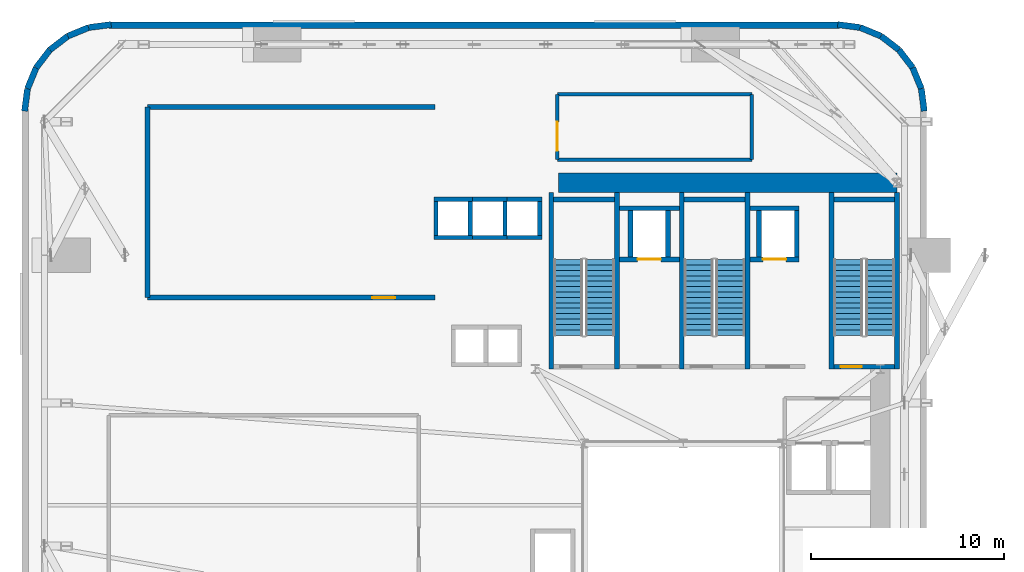
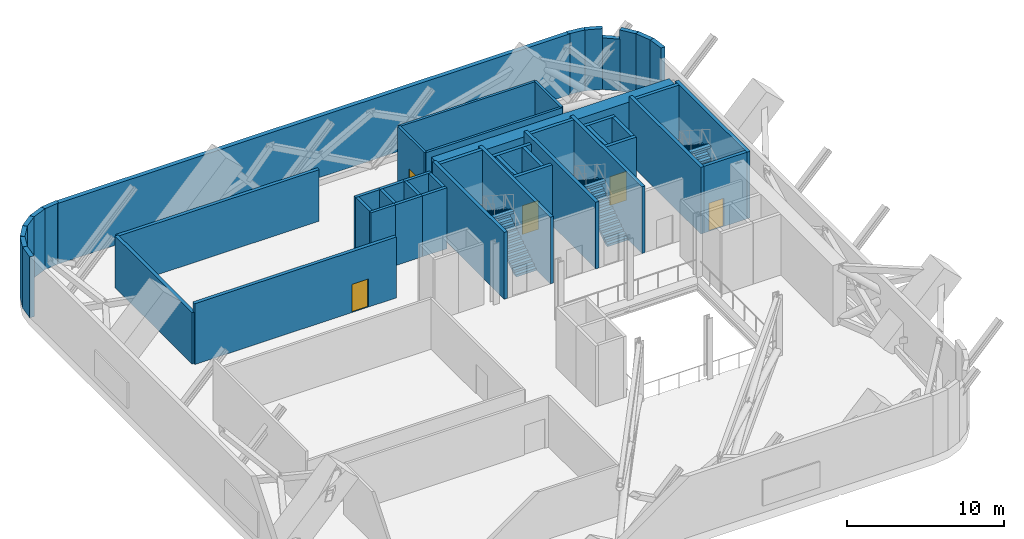
# One storey, part 9 of 12: 49 walls, 6 stair flights, 5 doors, 5 openings, 3 elements without a shape of their own.
"""IFC4 building model written with IfcOpenShell, lengths in metres."""

import ifcopenshell
import ifcopenshell.guid

model = None  # the IFC model being written
_history = None  # IfcOwnerHistory: only IFC2X3 demands one
_inside = {}  # id of a spatial element -> (the spatial element, [elements in it])
_under = {}  # id of a project, library or spatial element -> (it, [spatial elements below it])
_declared = {}  # id of a project -> (the project, [libraries it declares])
_typed = {}  # id of a type object -> (the type object, [elements of that type])
_made_of = {}  # id of a material, layer set ... -> (it, [elements and type objects made of it])


def new_model(schema):
    """Start an empty IFC model of exactly this schema.

    Asked for "IFC4X3", IfcOpenShell would pick the latest addendum, in which some entities
    have other attributes; the version numbers below select the first issue.
    IFC2X3 requires an IfcOwnerHistory on every rooted entity: one is made here for all.
    """
    global model, _history
    if schema == "IFC4X3":
        model = ifcopenshell.file(schema_version=(4, 3, 0, 0))
    else:
        model = ifcopenshell.file(schema=schema)
    _inside.clear()
    _under.clear()
    _declared.clear()
    _typed.clear()
    _made_of.clear()
    _history = None
    if model.schema == "IFC2X3":
        org = make("IfcOrganization", Name="unknown")
        user = make(
            "IfcPersonAndOrganization",
            ThePerson=make("IfcPerson", FamilyName="unknown"),
            TheOrganization=org,
        )
        app = make(
            "IfcApplication",
            ApplicationDeveloper=org,
            Version="unknown",
            ApplicationFullName="unknown",
            ApplicationIdentifier="unknown",
        )
        _history = make(
            "IfcOwnerHistory",
            OwningUser=user,
            OwningApplication=app,
            ChangeAction="ADDED",
            CreationDate=0,
        )
    return model


def make(cls, **values):
    """One entity of the class cls with the attributes given. An attribute that is None is left unset."""
    return model.create_entity(
        cls, **{name: value for name, value in values.items() if value is not None}
    )


def rooted(cls, **values):
    """An entity with a GlobalId (a new one), such as an element, a storey or a relation."""
    return make(cls, GlobalId=ifcopenshell.guid.new(), OwnerHistory=_history, **values)


def si_unit(unit_type, name, prefix=None):
    """IfcSIUnit, for example si_unit("LENGTHUNIT", "METRE", prefix="MILLI")."""
    return make("IfcSIUnit", UnitType=unit_type, Prefix=prefix, Name=name)


def assignment(units):
    """IfcUnitAssignment: the units of a project."""
    return None if units is None else make("IfcUnitAssignment", Units=units)


def point(xyz):
    """IfcCartesianPoint."""
    return None if xyz is None else make("IfcCartesianPoint", Coordinates=xyz)


def direction(xyz):
    """IfcDirection."""
    return None if xyz is None else make("IfcDirection", DirectionRatios=xyz)


def frame(location, z_axis=None, x_axis=None):
    """IfcAxis2Placement3D, a coordinate frame: its origin and axes. An axis left out is left unset."""
    return make(
        "IfcAxis2Placement3D",
        Location=point(location),
        Axis=direction(z_axis),
        RefDirection=direction(x_axis),
    )


def frame_2d(location, x_axis=None):
    """IfcAxis2Placement2D, a coordinate frame in the plane: its origin and x axis."""
    return make(
        "IfcAxis2Placement2D", Location=point(location), RefDirection=direction(x_axis)
    )


def origin():
    """The frame at (0, 0, 0) with its axes left unset."""
    return frame((0.0, 0.0, 0.0))


def place(relative_to, where):
    """IfcLocalPlacement: puts the frame where relative to a parent placement (None: the world)."""
    return make(
        "IfcLocalPlacement", PlacementRelTo=relative_to, RelativePlacement=where
    )


def context(
    kind, dimensions, precision=None, world=None, true_north=None, identifier=None
):
    """IfcGeometricRepresentationContext, for example the 3D "Model" context."""
    return make(
        "IfcGeometricRepresentationContext",
        ContextIdentifier=identifier,
        ContextType=kind,
        CoordinateSpaceDimension=dimensions,
        Precision=precision,
        WorldCoordinateSystem=world,
        TrueNorth=true_north,
    )


def subcontext(parent, identifier, kind, view, scale=None):
    """IfcGeometricRepresentationSubContext, for example "Body" below "Model"."""
    return make(
        "IfcGeometricRepresentationSubContext",
        ContextIdentifier=identifier,
        ContextType=kind,
        ParentContext=parent,
        TargetScale=scale,
        TargetView=view,
    )


def project(units=None, contexts=None):
    """IfcProject with its units and contexts."""
    return rooted(
        "IfcProject",
        Name="project",
        RepresentationContexts=contexts,
        UnitsInContext=assignment(units),
    )


def spatial(cls, under=None, at=None, **own):
    """A site, building, storey or space (cls), placed at a placement, below another one or the project."""
    s = rooted(cls, ObjectPlacement=at, **own)
    if under is not None:
        _under.setdefault(under.id(), (under, []))[1].append(s)
    return s


def polyline(points):
    """IfcPolyline through the points."""
    return make("IfcPolyline", Points=[point(p) for p in points])


def profile(cls, at=None, kind="AREA", **sizes):
    """A parametric profile (cls). Its sizes go by their IFC names, for example OverallWidth=200.0."""
    return make(cls, ProfileType=kind, Position=at, **sizes)


def rectangle(**sizes):
    """IfcRectangleProfileDef."""
    return profile("IfcRectangleProfileDef", **sizes)


def outline(outer, holes=None, kind="AREA"):
    """IfcArbitraryClosedProfileDef: a profile drawn as a closed curve; with holes, ...WithVoids."""
    if holes is None:
        return make("IfcArbitraryClosedProfileDef", ProfileType=kind, OuterCurve=outer)
    return make(
        "IfcArbitraryProfileDefWithVoids",
        ProfileType=kind,
        OuterCurve=outer,
        InnerCurves=holes,
    )


def extrude(swept, where, along, depth):
    """IfcExtrudedAreaSolid: the profile swept, set in the frame where, extruded along a direction by depth."""
    return make(
        "IfcExtrudedAreaSolid",
        SweptArea=swept,
        Position=where,
        ExtrudedDirection=direction(along),
        Depth=depth,
    )


def shape(context_of_items, identifier, shape_type, items):
    """IfcShapeRepresentation: the items that make up one representation, for example the "Body"."""
    return make(
        "IfcShapeRepresentation",
        ContextOfItems=context_of_items,
        RepresentationIdentifier=identifier,
        RepresentationType=shape_type,
        Items=items,
    )


def source(mapping_origin, context_of_items, identifier, shape_type, items):
    """IfcRepresentationMap: a shape defined once, which mapped items show again and again."""
    return make(
        "IfcRepresentationMap",
        MappingOrigin=mapping_origin,
        MappedRepresentation=shape(context_of_items, identifier, shape_type, items),
    )


def transform(
    local_origin,
    x_axis=None,
    y_axis=None,
    z_axis=None,
    scale=None,
    scale2=None,
    scale3=None,
    uniform=True,
):
    """IfcCartesianTransformationOperator3D, or its non-uniform kind. x_axis, y_axis, z_axis: its Axis1, 2, 3."""
    if uniform:
        return make(
            "IfcCartesianTransformationOperator3D",
            Axis1=direction(x_axis),
            Axis2=direction(y_axis),
            LocalOrigin=point(local_origin),
            Scale=scale,
            Axis3=direction(z_axis),
        )
    return make(
        "IfcCartesianTransformationOperator3DnonUniform",
        Axis1=direction(x_axis),
        Axis2=direction(y_axis),
        LocalOrigin=point(local_origin),
        Scale=scale,
        Axis3=direction(z_axis),
        Scale2=scale2,
        Scale3=scale3,
    )


def mapped(mapping_source, mapping_target):
    """IfcMappedItem: shows the shape of a source again, moved by a transform."""
    return make(
        "IfcMappedItem", MappingSource=mapping_source, MappingTarget=mapping_target
    )


def material(Name=None, Category=None):
    """IfcMaterial."""
    return make("IfcMaterial", Name=Name, Category=Category)


def layer(
    of_material, thickness, ventilated=None, Name=None, Category=None, Priority=None
):
    """IfcMaterialLayer: one layer of a wall or slab, of a material (None: an air gap)."""
    return make(
        "IfcMaterialLayer",
        Material=of_material,
        LayerThickness=thickness,
        IsVentilated=ventilated,
        Name=Name,
        Category=Category,
        Priority=Priority,
    )


def layer_set(layers, Name=None):
    """IfcMaterialLayerSet."""
    return make("IfcMaterialLayerSet", MaterialLayers=layers, LayerSetName=Name)


def made_of(thing, what):
    """Note that an element or type object is made of a material, layer set ...; save() writes the relation."""
    if what is not None:
        _made_of.setdefault(what.id(), (what, []))[1].append(thing)
    return thing


def type_object(cls, material=None, **own):
    """A type object (cls), such as IfcWallType, which elements share."""
    return made_of(rooted(cls, **own), material)


def element(
    cls,
    number,
    at=None,
    inside=None,
    cuts=None,
    type_object=None,
    material=None,
    context=None,
    identifier="Body",
    shape_type=None,
    held_by="IfcProductDefinitionShape",
    body=None,
    shapes=None,
    **own,
):
    """One element of the class cls, such as IfcWall. Its Tag is "e" and its number.

    at: its placement. inside: the storey or other place that contains it. cuts: it is an
    opening in that element (IfcRelVoidsElement). A single representation is given by context,
    identifier, shape_type and body (its items); several are given by shapes. held_by: the class
    of the entity that holds the representations. save() writes the other relations.
    """
    e = rooted(cls, Tag="e%d" % number, ObjectPlacement=at, **own)
    if body is not None:
        shapes = [shape(context, identifier, shape_type, body)]
    if shapes is not None:
        e.Representation = make(held_by, Representations=shapes)
    if inside is not None:
        _inside.setdefault(inside.id(), (inside, []))[1].append(e)
    if cuts is not None:
        rooted(
            "IfcRelVoidsElement", RelatingBuildingElement=cuts, RelatedOpeningElement=e
        )
    if type_object is not None:
        _typed.setdefault(type_object.id(), (type_object, []))[1].append(e)
    return made_of(e, material)


def fill(opening, filler):
    """IfcRelFillsElement: the door or window that sits in an opening."""
    return rooted(
        "IfcRelFillsElement",
        RelatingOpeningElement=opening,
        RelatedBuildingElement=filler,
    )


def aggregate(whole, parts):
    """IfcRelAggregates: a whole, such as a stair, and the parts it consists of."""
    return rooted("IfcRelAggregates", RelatingObject=whole, RelatedObjects=parts)


def save(model, path):
    """Write the relations noted so far, then the file.

    IfcRelAggregates (storeys below a building ...), IfcRelContainedInSpatialStructure (elements
    in a storey), IfcRelDefinesByType, IfcRelAssociatesMaterial and IfcRelDeclares: one each for
    every whole, place, type object, material and project.
    """
    for whole, parts in _under.values():
        aggregate(whole, parts)
    for where, things in _inside.values():
        rooted(
            "IfcRelContainedInSpatialStructure",
            RelatedElements=things,
            RelatingStructure=where,
        )
    for kind, things in _typed.values():
        rooted("IfcRelDefinesByType", RelatedObjects=things, RelatingType=kind)
    for what, things in _made_of.values():
        rooted("IfcRelAssociatesMaterial", RelatedObjects=things, RelatingMaterial=what)
    for by, libraries in _declared.values():
        rooted("IfcRelDeclares", RelatingContext=by, RelatedDefinitions=libraries)
    model.write(path)


model = new_model("IFC4")

# Units and contexts
model_context = context("Model", 3, precision=1e-05, world=origin(), true_north=direction((0.0, 1.0)))
body_context = subcontext(model_context, "Body", "Model", "MODEL_VIEW")
ifc_project = project(units=[si_unit("LENGTHUNIT", "METRE"), si_unit("AREAUNIT", "SQUARE_METRE"), si_unit("VOLUMEUNIT", "CUBIC_METRE"), si_unit("PLANEANGLEUNIT", "RADIAN"), si_unit("MASSUNIT", "GRAM", prefix="KILO")], contexts=[model_context])

# Site, building, storey
site_placement = place(None, origin())
site = spatial("IfcSite", under=ifc_project, at=site_placement, CompositionType="ELEMENT")
building_placement = place(site_placement, origin())
building = spatial("IfcBuilding", under=site, at=building_placement, Name="Vardaveli Station Tower", CompositionType="ELEMENT")
storey_placement = place(building_placement, frame((0.0, 0.0, 93.300048828125)))
storey = spatial("IfcBuildingStorey", under=building, at=storey_placement, Name="L24", CompositionType="ELEMENT", Elevation=93.300048828125)

# Walls
ifc_material_1 = material(Name="Concrete C60/75", Category="concrete")
ifc_layer_1 = layer(ifc_material_1, 1.0, Name="Concrete C60/75")
ifc_layer_set_1 = layer_set([ifc_layer_1], Name="Concrete C60/75")
wall_type_1 = type_object("IfcWallType", Name="WAL-CORE-1000", PredefinedType="SHEAR", material=ifc_layer_set_1)
shared_shape_1 = source(origin(), body_context, "Body", "SweptSolid", [
    extrude(rectangle(XDim=17.52001953125, YDim=1.0, at=frame_2d((8.760009765625, 0.0))), origin(), (0.0, 0.0, 1.0), 4.75),
])
wall_1_placement = place(storey_placement, frame((29.85009765625, 40.300048828125, 0.0), z_axis=(0.0, 0.0, 1.0), x_axis=(1.0, 0.0, 0.0)))
element("IfcWall", 1, at=wall_1_placement, inside=storey, type_object=wall_type_1, Name="SW-L24-NORTH", PredefinedType="SHEAR", context=body_context, shape_type="MappedRepresentation", body=[
    mapped(shared_shape_1, transform((0.0, 0.0, 0.0), scale=1.0)),
])
ifc_material_2 = material(Name="Precast concrete C45/55", Category="concrete")
ifc_layer_2 = layer(ifc_material_2, 0.320068359375, Name="Precast concrete C45/55")
ifc_layer_set_2 = layer_set([ifc_layer_2], Name="Precast concrete C45/55")
wall_type_2 = type_object("IfcWallType", Name="WAL-EXT-STONE-320", PredefinedType="SOLIDWALL", material=ifc_layer_set_2)
shared_shape_2 = source(origin(), body_context, "Body", "SweptSolid", [
    extrude(rectangle(XDim=37.7998046875, YDim=0.320068359375, at=frame_2d((18.89990234375, 0.0))), origin(), (0.0, 0.0, 1.0), 4.75),
])
wall_2_placement = place(storey_placement, frame((44.39990234375, 48.43994140625, 0.0), z_axis=(0.0, 0.0, 1.0), x_axis=(-1.0, 0.0, 0.0)))
element("IfcWall", 2, at=wall_2_placement, inside=storey, type_object=wall_type_2, Name="EW-L24-N", PredefinedType="SOLIDWALL", context=body_context, shape_type="MappedRepresentation", body=[
    mapped(shared_shape_2, transform((0.0, 0.0, 0.0), scale=1.0)),
])
shared_shape_3 = source(origin(), body_context, "Body", "SweptSolid", [
    extrude(rectangle(XDim=1.1689453125, YDim=0.320068359375, at=frame_2d((0.58447265625, 0.0))), origin(), (0.0, 0.0, 1.0), 4.75),
])
for number, where, z_axis, x_axis, name in (
    (3, (48.179931640625, 46.2412109375, 0.0), (0.0, 0.0, 1.0), (-0.608387696831, 0.793639975269, 0.0), "EW-L24-CR3-3"),
    (4, (3.53125, 47.1689453125, 0.0), (0.0, 0.0, 1.0), (-0.608387696831, -0.793639975269, 0.0), "EW-L24-CR4-4"),
):
    element("IfcWall", number, at=place(storey_placement, frame(where, z_axis=z_axis, x_axis=x_axis)), inside=storey, type_object=wall_type_2, Name=name, PredefinedType="SOLIDWALL", context=body_context, shape_type="MappedRepresentation", body=[
        mapped(shared_shape_3, transform((0.0, 0.0, 0.0), scale=1.0)),
    ])
shared_shape_4 = source(origin(), body_context, "Body", "SweptSolid", [
    extrude(rectangle(XDim=1.168701171875, YDim=0.320068359375, at=frame_2d((0.58447265625, 0.0))), origin(), (0.0, 0.0, 1.0), 4.75),
])
wall_3_placement = place(storey_placement, frame((4.458740234375, 47.8798828125, 0.0), z_axis=(0.0, 0.0, 1.0), x_axis=(-0.793663520347, -0.608356981114, 0.0)))
element("IfcWall", 5, at=wall_3_placement, inside=storey, type_object=wall_type_2, Name="EW-L24-CR4-3", PredefinedType="SOLIDWALL", context=body_context, shape_type="MappedRepresentation", body=[
    mapped(shared_shape_4, transform((0.0, 0.0, 0.0), scale=1.0)),
])
shared_shape_5 = source(origin(), body_context, "Body", "SweptSolid", [
    extrude(rectangle(XDim=1.168701171875, YDim=0.320068359375, at=frame_2d((0.58447265625, 0.0))), origin(), (0.0, 0.0, 1.0), 4.029052734375),
])
wall_4_placement = place(storey_placement, frame((47.46875, 47.1689453125, 0.0), z_axis=(0.0, 0.0, 1.0), x_axis=(-0.793663520347, 0.608356981114, 0.0)))
element("IfcWall", 6, at=wall_4_placement, inside=storey, type_object=wall_type_2, Name="EW-L24-CR3-4", PredefinedType="SOLIDWALL", context=body_context, shape_type="MappedRepresentation", body=[
    mapped(shared_shape_5, transform((0.0, 0.0, 0.0), scale=1.0)),
])
shared_shape_6 = source(origin(), body_context, "Body", "SweptSolid", [
    extrude(rectangle(XDim=1.17041015625, YDim=0.320068359375, at=frame_2d((0.585205078125, 0.0))), origin(), (0.0, 0.0, 1.0), 4.75),
])
for number, where, z_axis, x_axis, name in (
    (7, (48.775634765625, 43.99951171875, 0.0), (0.0, 0.0, 1.0), (-0.128295670475, 0.991735963317, 0.0), "EW-L24-CR3-1"),
    (8, (45.460205078125, 48.325439453125, 0.0), (0.0, 0.0, 1.0), (-0.991735963317, 0.128295670475, 0.0), "EW-L24-CR3-6"),
    (9, (6.700439453125, 48.4755859375, 0.0), (0.0, 0.0, 1.0), (-0.991735963317, -0.128295670475, 0.0), "EW-L24-CR4-1"),
    (10, (2.37451171875, 45.16015625, 0.0), (0.0, 0.0, 1.0), (-0.128295670475, -0.991735963317, 0.0), "EW-L24-CR4-6"),
):
    element("IfcWall", number, at=place(storey_placement, frame(where, z_axis=z_axis, x_axis=x_axis)), inside=storey, type_object=wall_type_2, Name=name, PredefinedType="SOLIDWALL", context=body_context, shape_type="MappedRepresentation", body=[
        mapped(shared_shape_6, transform((0.0, 0.0, 0.0), scale=1.0)),
    ])
shared_shape_7 = source(origin(), body_context, "Body", "SweptSolid", [
    extrude(rectangle(XDim=1.169189453125, YDim=0.320068359375, at=frame_2d((0.58447265625, 0.0))), origin(), (0.0, 0.0, 1.0), 4.75),
])
for number, where, z_axis, x_axis, name in (
    (11, (48.62548828125, 45.16015625, 0.0), (0.0, 0.0, 1.0), (-0.381054331552, 0.924552646638, 0.0), "EW-L24-CR3-2"),
    (12, (46.541259765625, 47.8798828125, 0.0), (0.0, 0.0, 1.0), (-0.924552646638, 0.381054331552, 0.0), "EW-L24-CR3-5"),
    (13, (5.539794921875, 48.325439453125, 0.0), (0.0, 0.0, 1.0), (-0.924552646638, -0.381054331552, 0.0), "EW-L24-CR4-2"),
    (14, (2.820068359375, 46.2412109375, 0.0), (0.0, 0.0, 1.0), (-0.381054331552, -0.924552646638, 0.0), "EW-L24-CR4-5"),
):
    element("IfcWall", number, at=place(storey_placement, frame(where, z_axis=z_axis, x_axis=x_axis)), inside=storey, type_object=wall_type_2, Name=name, PredefinedType="SOLIDWALL", context=body_context, shape_type="MappedRepresentation", body=[
        mapped(shared_shape_7, transform((0.0, 0.0, 0.0), scale=1.0)),
    ])
ifc_material_3 = material(Name="Concrete C40/50", Category="concrete")
ifc_layer_3 = layer(ifc_material_3, 0.25, Name="Concrete C40/50")
ifc_layer_set_3 = layer_set([ifc_layer_3], Name="Concrete C40/50")
wall_type_3 = type_object("IfcWallType", Name="WAL-SHAFT-250", PredefinedType="SOLIDWALL", material=ifc_layer_set_3)
shared_shape_8 = source(origin(), body_context, "Body", "SweptSolid", [
    extrude(rectangle(XDim=3.14990234375, YDim=0.25, at=frame_2d((1.574951171875, 0.0))), origin(), (0.0, 0.0, 1.0), 5.199951171875),
])
for number, where, z_axis, x_axis, name in (
    (15, (29.60009765625, 39.425048828125, 0.0), (0.0, 0.0, 1.0), (1.0, 0.0, 0.0), "W-L24-ST-1N"),
    (16, (36.35009765625, 39.425048828125, 0.0), (0.0, 0.0, 1.0), (1.0, 0.0, 0.0), "W-L24-ST-2N"),
    (17, (44.10009765625, 39.425048828125, 0.0), (0.0, 0.0, 1.0), (1.0, 0.0, 0.0), "W-L24-ST-3N"),
):
    element("IfcWall", number, at=place(storey_placement, frame(where, z_axis=z_axis, x_axis=x_axis)), inside=storey, type_object=wall_type_3, Name=name, PredefinedType="SOLIDWALL", context=body_context, shape_type="MappedRepresentation", body=[
        mapped(shared_shape_8, transform((0.0, 0.0, 0.0), scale=1.0)),
    ])

# Wall, opening, door
wall_5_placement = place(storey_placement, frame((44.10009765625, 30.77490234375, 0.0), z_axis=(0.0, 0.0, 1.0), x_axis=(1.0, 0.0, 0.0)))
wall_5 = element("IfcWall", 18, at=wall_5_placement, inside=storey, type_object=wall_type_3, Name="W-L24-ST-3S", PredefinedType="SOLIDWALL", context=body_context, shape_type="MappedRepresentation", body=[
    mapped(shared_shape_8, transform((0.0, 0.0, 0.0), scale=1.0)),
])
shared_shape_9 = source(origin(), body_context, "Body", "SweptSolid", [
    extrude(rectangle(XDim=1.10009765625, YDim=2.199951171875, at=frame_2d((0.550048828125, 1.10009765625))), frame((0.0, 0.135009765625, 0.0), z_axis=(0.0, -1.0, 0.0), x_axis=(1.0, 0.0, 0.0)), (0.0, 0.0, 1.0), 0.27001953125),
])
opening_1_placement = place(wall_5_placement, frame((0.35009765625, 0.0, 0.0)))
opening_1 = element("IfcOpeningElement", 19, at=opening_1_placement, cuts=wall_5, Name="Opening D-04", PredefinedType="OPENING", context=body_context, shape_type="MappedRepresentation", body=[
    mapped(shared_shape_9, transform((0.0, 0.0, 0.0), scale=1.0)),
])
ifc_material_4 = material(Name="Steel smokeproof fire doorset", Category="steel")
door_type_1 = type_object("IfcDoorType", Name="DR-ST-1100x2200", OperationType="NOTDEFINED", PredefinedType="DOOR", material=ifc_material_4)
shared_shape_10 = source(origin(), body_context, "Body", "SweptSolid", [
    extrude(rectangle(XDim=1.10009765625, YDim=2.199951171875, at=frame_2d((0.550048828125, 1.10009765625))), frame((0.0, 0.02490234375, 0.0), z_axis=(0.0, -1.0, 0.0), x_axis=(1.0, 0.0, 0.0)), (0.0, 0.0, 1.0), 0.050048828125),
])
door_1_placement = place(opening_1_placement, origin())
door_1 = element("IfcDoor", 20, at=door_1_placement, inside=storey, type_object=door_type_1, Name="DST-3-L24", OperationType="SINGLE_SWING_LEFT", OverallHeight=2.199951171875, OverallWidth=1.10009765625, PredefinedType="DOOR", context=body_context, shape_type="MappedRepresentation", body=[
    mapped(shared_shape_10, transform((0.0, 0.0, 0.0), scale=1.0)),
])
fill(opening_1, door_1)

# Walls
shared_shape_11 = source(origin(), body_context, "Body", "SweptSolid", [
    extrude(rectangle(XDim=9.150146484375, YDim=0.25, at=frame_2d((4.5751953125, 0.0))), origin(), (0.0, 0.0, 1.0), 5.199951171875),
])
for number, where, z_axis, x_axis, name in (
    (21, (29.47509765625, 30.64990234375, 0.0), (0.0, 0.0, 1.0), (0.0, 1.0, 0.0), "W-L24-ST-1W"),
    (22, (32.875, 30.64990234375, 0.0), (0.0, 0.0, 1.0), (0.0, 1.0, 0.0), "W-L24-ST-1E"),
    (23, (36.22509765625, 30.64990234375, 0.0), (0.0, 0.0, 1.0), (0.0, 1.0, 0.0), "W-L24-ST-2W"),
    (24, (39.625, 30.64990234375, 0.0), (0.0, 0.0, 1.0), (0.0, 1.0, 0.0), "W-L24-ST-2E"),
    (25, (43.97509765625, 30.64990234375, 0.0), (0.0, 0.0, 1.0), (0.0, 1.0, 0.0), "W-L24-ST-3W"),
    (26, (47.375, 30.64990234375, 0.0), (0.0, 0.0, 1.0), (0.0, 1.0, 0.0), "W-L24-ST-3E"),
):
    element("IfcWall", number, at=place(storey_placement, frame(where, z_axis=z_axis, x_axis=x_axis)), inside=storey, type_object=wall_type_3, Name=name, PredefinedType="SOLIDWALL", context=body_context, shape_type="MappedRepresentation", body=[
        mapped(shared_shape_11, transform((0.0, 0.0, 0.0), scale=1.0)),
    ])
ifc_layer_4 = layer(ifc_material_3, 0.219970703125, Name="Concrete C40/50")
ifc_layer_set_4 = layer_set([ifc_layer_4], Name="Concrete C40/50")
wall_type_4 = type_object("IfcWallType", Name="WAL-FFLOBBY-220", PredefinedType="SOLIDWALL", material=ifc_layer_set_4)
shared_shape_12 = source(origin(), body_context, "Body", "SweptSolid", [
    extrude(rectangle(XDim=1.989990234375, YDim=0.219970703125, at=frame_2d((0.9951171875, 0.0))), origin(), (0.0, 0.0, 1.0), 4.75),
])
for number, where, z_axis, x_axis, name in (
    (27, (23.405029296875, 37.465087890625, 0.0), (0.0, 0.0, 1.0), (1.0, 0.0, 0.0), "SHW-HL1-01-L24-S"),
    (28, (23.405029296875, 39.43505859375, 0.0), (0.0, 0.0, 1.0), (1.0, 0.0, 0.0), "SHW-HL1-01-L24-N"),
    (29, (25.205078125, 37.465087890625, 0.0), (0.0, 0.0, 1.0), (1.0, 0.0, 0.0), "SHW-HL1-02-L24-S"),
    (30, (25.205078125, 39.43505859375, 0.0), (0.0, 0.0, 1.0), (1.0, 0.0, 0.0), "SHW-HL1-02-L24-N"),
):
    element("IfcWall", number, at=place(storey_placement, frame(where, z_axis=z_axis, x_axis=x_axis)), inside=storey, type_object=wall_type_4, Name=name, PredefinedType="SOLIDWALL", context=body_context, shape_type="MappedRepresentation", body=[
        mapped(shared_shape_12, transform((0.0, 0.0, 0.0), scale=1.0)),
    ])
shared_shape_13 = source(origin(), body_context, "Body", "SweptSolid", [
    extrude(rectangle(XDim=1.75, YDim=0.219970703125, at=frame_2d((0.875, 0.0))), origin(), (0.0, 0.0, 1.0), 4.75),
])
for number, where, z_axis, x_axis, name in (
    (31, (23.514892578125, 37.574951171875, 0.0), (0.0, 0.0, 1.0), (0.0, 1.0, 0.0), "SHW-HL1-01-L24-W"),
    (32, (25.284912109375, 37.574951171875, 0.0), (0.0, 0.0, 1.0), (0.0, 1.0, 0.0), "SHW-HL1-01-L24-E"),
    (33, (27.0849609375, 37.574951171875, 0.0), (0.0, 0.0, 1.0), (0.0, 1.0, 0.0), "SHW-HL1-02-L24-E"),
    (34, (28.885009765625, 37.574951171875, 0.0), (0.0, 0.0, 1.0), (0.0, 1.0, 0.0), "SHW-HL1-03-L24-E"),
):
    element("IfcWall", number, at=place(storey_placement, frame(where, z_axis=z_axis, x_axis=x_axis)), inside=storey, type_object=wall_type_4, Name=name, PredefinedType="SOLIDWALL", context=body_context, shape_type="MappedRepresentation", body=[
        mapped(shared_shape_13, transform((0.0, 0.0, 0.0), scale=1.0)),
    ])
shared_shape_14 = source(origin(), body_context, "Body", "SweptSolid", [
    extrude(rectangle(XDim=1.990234375, YDim=0.219970703125, at=frame_2d((0.9951171875, 0.0))), origin(), (0.0, 0.0, 1.0), 4.75),
])
for number, where, z_axis, x_axis, name in (
    (35, (27.0048828125, 37.465087890625, 0.0), (0.0, 0.0, 1.0), (1.0, 0.0, 0.0), "SHW-HL1-03-L24-S"),
    (36, (27.0048828125, 39.43505859375, 0.0), (0.0, 0.0, 1.0), (1.0, 0.0, 0.0), "SHW-HL1-03-L24-N"),
):
    element("IfcWall", number, at=place(storey_placement, frame(where, z_axis=z_axis, x_axis=x_axis)), inside=storey, type_object=wall_type_4, Name=name, PredefinedType="SOLIDWALL", context=body_context, shape_type="MappedRepresentation", body=[
        mapped(shared_shape_14, transform((0.0, 0.0, 0.0), scale=1.0)),
    ])

# Wall, opening, door
shared_shape_15 = source(origin(), body_context, "Body", "SweptSolid", [
    extrude(rectangle(XDim=3.10009765625, YDim=0.25, at=frame_2d((1.550048828125, 0.0))), origin(), (0.0, 0.0, 1.0), 4.75),
])
wall_6_placement = place(storey_placement, frame((33.0, 36.324951171875, 0.0), z_axis=(0.0, 0.0, 1.0), x_axis=(1.0, 0.0, 0.0)))
wall_6 = element("IfcWall", 37, at=wall_6_placement, inside=storey, type_object=wall_type_3, Name="SHW-FFL-01-L24-S", PredefinedType="SOLIDWALL", context=body_context, shape_type="MappedRepresentation", body=[
    mapped(shared_shape_15, transform((0.0, 0.0, 0.0), scale=1.0)),
])
shared_shape_16 = source(origin(), body_context, "Body", "SweptSolid", [
    extrude(rectangle(XDim=1.199951171875, YDim=2.25, at=frame_2d((0.60009765625, 1.125))), frame((0.0, 0.135009765625, 0.0), z_axis=(0.0, -1.0, 0.0), x_axis=(1.0, 0.0, 0.0)), (0.0, 0.0, 1.0), 0.27001953125),
])
opening_2_placement = place(wall_6_placement, frame((0.949951171875, 0.0, 0.0)))
opening_2 = element("IfcOpeningElement", 38, at=opening_2_placement, cuts=wall_6, Name="Opening LD-02", PredefinedType="OPENING", context=body_context, shape_type="MappedRepresentation", body=[
    mapped(shared_shape_16, transform((0.0, 0.0, 0.0), scale=1.0)),
])
ifc_material_5 = material(Name="Brushed stainless steel", Category="steel")
door_type_2 = type_object("IfcDoorType", Name="DR-LD-1200x2250", OperationType="DOUBLE_DOOR_SLIDING", PredefinedType="DOOR", material=ifc_material_5)
shared_shape_17 = source(origin(), body_context, "Body", "SweptSolid", [
    extrude(rectangle(XDim=1.199951171875, YDim=2.25, at=frame_2d((0.60009765625, 1.125))), frame((0.0, 0.02490234375, 0.0), z_axis=(0.0, -1.0, 0.0), x_axis=(1.0, 0.0, 0.0)), (0.0, 0.0, 1.0), 0.050048828125),
])
door_2_placement = place(opening_2_placement, origin())
door_2 = element("IfcDoor", 39, at=door_2_placement, inside=storey, type_object=door_type_2, Name="LD-FFL-01-L24", OperationType="DOUBLE_DOOR_SLIDING", OverallHeight=2.25, OverallWidth=1.199951171875, PredefinedType="DOOR", context=body_context, shape_type="MappedRepresentation", body=[
    mapped(shared_shape_17, transform((0.0, 0.0, 0.0), scale=1.0)),
])
fill(opening_2, door_2)

# Walls
wall_7_placement = place(storey_placement, frame((33.0, 38.97509765625, 0.0), z_axis=(0.0, 0.0, 1.0), x_axis=(1.0, 0.0, 0.0)))
element("IfcWall", 40, at=wall_7_placement, inside=storey, type_object=wall_type_3, Name="SHW-FFL-01-L24-N", PredefinedType="SOLIDWALL", context=body_context, shape_type="MappedRepresentation", body=[
    mapped(shared_shape_15, transform((0.0, 0.0, 0.0), scale=1.0)),
])
shared_shape_18 = source(origin(), body_context, "Body", "SweptSolid", [
    extrude(rectangle(XDim=2.400146484375, YDim=0.25, at=frame_2d((1.2001953125, 0.0))), origin(), (0.0, 0.0, 1.0), 4.75),
])
for number, where, z_axis, x_axis, name in (
    (41, (33.574951171875, 36.449951171875, 0.0), (0.0, 0.0, 1.0), (0.0, 1.0, 0.0), "SHW-FFL-01-L24-W"),
    (42, (35.52490234375, 36.449951171875, 0.0), (0.0, 0.0, 1.0), (0.0, 1.0, 0.0), "SHW-FFL-01-L24-E"),
    (43, (40.22509765625, 36.449951171875, 0.0), (0.0, 0.0, 1.0), (0.0, 1.0, 0.0), "SHW-FFL-02-L24-W"),
    (44, (42.175048828125, 36.449951171875, 0.0), (0.0, 0.0, 1.0), (0.0, 1.0, 0.0), "SHW-FFL-02-L24-E"),
):
    element("IfcWall", number, at=place(storey_placement, frame(where, z_axis=z_axis, x_axis=x_axis)), inside=storey, type_object=wall_type_3, Name=name, PredefinedType="SOLIDWALL", context=body_context, shape_type="MappedRepresentation", body=[
        mapped(shared_shape_18, transform((0.0, 0.0, 0.0), scale=1.0)),
    ])

# Wall, opening, door
shared_shape_19 = source(origin(), body_context, "Body", "SweptSolid", [
    extrude(rectangle(XDim=2.550048828125, YDim=0.25, at=frame_2d((1.27490234375, 0.0))), origin(), (0.0, 0.0, 1.0), 4.75),
])
wall_8_placement = place(storey_placement, frame((39.75, 36.324951171875, 0.0), z_axis=(0.0, 0.0, 1.0), x_axis=(1.0, 0.0, 0.0)))
wall_8 = element("IfcWall", 45, at=wall_8_placement, inside=storey, type_object=wall_type_3, Name="SHW-FFL-02-L24-S", PredefinedType="SOLIDWALL", context=body_context, shape_type="MappedRepresentation", body=[
    mapped(shared_shape_19, transform((0.0, 0.0, 0.0), scale=1.0)),
])
opening_3_placement = place(wall_8_placement, frame((0.675048828125, 0.0, 0.0)))
opening_3 = element("IfcOpeningElement", 46, at=opening_3_placement, cuts=wall_8, Name="Opening LD-02", PredefinedType="OPENING", context=body_context, shape_type="MappedRepresentation", body=[
    mapped(shared_shape_16, transform((0.0, 0.0, 0.0), scale=1.0)),
])
door_3_placement = place(opening_3_placement, origin())
door_3 = element("IfcDoor", 47, at=door_3_placement, inside=storey, type_object=door_type_2, Name="LD-FFL-02-L24", OperationType="DOUBLE_DOOR_SLIDING", OverallHeight=2.25, OverallWidth=1.199951171875, PredefinedType="DOOR", context=body_context, shape_type="MappedRepresentation", body=[
    mapped(shared_shape_17, transform((0.0, 0.0, 0.0), scale=1.0)),
])
fill(opening_3, door_3)

# Wall
wall_9_placement = place(storey_placement, frame((39.75, 38.97509765625, 0.0), z_axis=(0.0, 0.0, 1.0), x_axis=(1.0, 0.0, 0.0)))
element("IfcWall", 48, at=wall_9_placement, inside=storey, type_object=wall_type_3, Name="SHW-FFL-02-L24-N", PredefinedType="SOLIDWALL", context=body_context, shape_type="MappedRepresentation", body=[
    mapped(shared_shape_19, transform((0.0, 0.0, 0.0), scale=1.0)),
])

# Wall, opening, door
shared_shape_20 = source(origin(), body_context, "Body", "SweptSolid", [
    extrude(rectangle(XDim=14.869873046875, YDim=0.25, at=frame_2d((7.43505859375, 0.0))), origin(), (0.0, 0.0, 1.0), 4.75),
])
wall_10_placement = place(storey_placement, frame((8.590087890625, 34.35009765625, 0.0), z_axis=(0.0, 0.0, 1.0), x_axis=(1.0, 0.0, 0.0)))
wall_10 = element("IfcWall", 49, at=wall_10_placement, inside=storey, type_object=wall_type_3, Name="W-L24-REF-S", PredefinedType="SOLIDWALL", context=body_context, shape_type="MappedRepresentation", body=[
    mapped(shared_shape_20, transform((0.0, 0.0, 0.0), scale=1.0)),
])
shared_shape_21 = source(origin(), body_context, "Body", "SweptSolid", [
    extrude(rectangle(XDim=1.199951171875, YDim=2.199951171875, at=frame_2d((0.60009765625, 1.10009765625))), frame((0.0, 0.135009765625, 0.0), z_axis=(0.0, -1.0, 0.0), x_axis=(1.0, 0.0, 0.0)), (0.0, 0.0, 1.0), 0.27001953125),
])
opening_4_placement = place(wall_10_placement, frame((11.610107421875, 0.0, 0.0)))
opening_4 = element("IfcOpeningElement", 50, at=opening_4_placement, cuts=wall_10, Name="Opening D-03", PredefinedType="OPENING", context=body_context, shape_type="MappedRepresentation", body=[
    mapped(shared_shape_21, transform((0.0, 0.0, 0.0), scale=1.0)),
])
door_type_3 = type_object("IfcDoorType", Name="DR-FFL-1200x2200", OperationType="NOTDEFINED", PredefinedType="DOOR", material=ifc_material_4)
shared_shape_22 = source(origin(), body_context, "Body", "SweptSolid", [
    extrude(rectangle(XDim=1.199951171875, YDim=2.199951171875, at=frame_2d((0.60009765625, 1.10009765625))), frame((0.0, 0.02490234375, 0.0), z_axis=(0.0, -1.0, 0.0), x_axis=(1.0, 0.0, 0.0)), (0.0, 0.0, 1.0), 0.050048828125),
])
door_4_placement = place(opening_4_placement, origin())
door_4 = element("IfcDoor", 51, at=door_4_placement, inside=storey, type_object=door_type_3, Name="D-L24-REF", OperationType="SINGLE_SWING_LEFT", OverallHeight=2.199951171875, OverallWidth=1.199951171875, PredefinedType="DOOR", context=body_context, shape_type="MappedRepresentation", body=[
    mapped(shared_shape_22, transform((0.0, 0.0, 0.0), scale=1.0)),
])
fill(opening_4, door_4)

ifc_material_6 = material(Name="Fire-rated gypsum stud partition")
ifc_layer_5 = layer(ifc_material_6, 0.179931640625, Name="Fire-rated gypsum stud partition")
ifc_layer_set_5 = layer_set([ifc_layer_5], Name="Fire-rated gypsum stud partition")
wall_type_5 = type_object("IfcWallType", Name="WAL-CORR-180", PredefinedType="PARTITIONING", material=ifc_layer_set_5)
shared_shape_23 = source(origin(), body_context, "Body", "SweptSolid", [
    extrude(rectangle(XDim=3.3701171875, YDim=0.179931640625, at=frame_2d((1.68505859375, 0.0))), origin(), (0.0, 0.0, 1.0), 4.75),
])
wall_11_placement = place(storey_placement, frame((29.7900390625, 41.489990234375, 0.0), z_axis=(0.0, 0.0, 1.0), x_axis=(0.0, 1.0, 0.0)))
wall_11 = element("IfcWall", 52, at=wall_11_placement, inside=storey, type_object=wall_type_5, Name="W-L24-PL2-W", PredefinedType="PARTITIONING", context=body_context, shape_type="MappedRepresentation", body=[
    mapped(shared_shape_23, transform((0.0, 0.0, 0.0), scale=1.0)),
])
shared_shape_24 = source(origin(), body_context, "Body", "SweptSolid", [
    extrude(rectangle(XDim=1.5, YDim=2.300048828125, at=frame_2d((0.75, 1.14990234375))), frame((0.0, 0.10009765625, 0.0), z_axis=(0.0, -1.0, 0.0), x_axis=(1.0, 0.0, 0.0)), (0.0, 0.0, 1.0), 0.199951171875),
])
opening_5_placement = place(wall_11_placement, frame((0.449951171875, 0.0, 0.0)))
opening_5 = element("IfcOpeningElement", 53, at=opening_5_placement, cuts=wall_11, Name="Opening D-02", PredefinedType="OPENING", context=body_context, shape_type="MappedRepresentation", body=[
    mapped(shared_shape_24, transform((0.0, 0.0, 0.0), scale=1.0)),
])
ifc_material_7 = material(Name="Galvanised steel acoustic doorset", Category="steel")
door_type_4 = type_object("IfcDoorType", Name="DR-PLANT-1500x2300", OperationType="DOUBLE_DOOR_SINGLE_SWING", PredefinedType="DOOR", material=ifc_material_7)
shared_shape_25 = source(origin(), body_context, "Body", "SweptSolid", [
    extrude(rectangle(XDim=1.5, YDim=2.300048828125, at=frame_2d((0.75, 1.14990234375))), frame((0.0, 0.02490234375, 0.0), z_axis=(0.0, -1.0, 0.0), x_axis=(1.0, 0.0, 0.0)), (0.0, 0.0, 1.0), 0.050048828125),
])
door_5_placement = place(opening_5_placement, origin())
door_5 = element("IfcDoor", 54, at=door_5_placement, inside=storey, type_object=door_type_4, Name="D-L24-P2", OperationType="DOUBLE_DOOR_SINGLE_SWING", OverallHeight=2.300048828125, OverallWidth=1.5, PredefinedType="DOOR", context=body_context, shape_type="MappedRepresentation", body=[
    mapped(shared_shape_25, transform((0.0, 0.0, 0.0), scale=1.0)),
])
fill(opening_5, door_5)

# Walls
wall_12_placement = place(storey_placement, frame((39.860107421875, 41.489990234375, 0.0), z_axis=(0.0, 0.0, 1.0), x_axis=(0.0, 1.0, 0.0)))
element("IfcWall", 55, at=wall_12_placement, inside=storey, type_object=wall_type_5, Name="W-L24-PL2-E", PredefinedType="PARTITIONING", context=body_context, shape_type="MappedRepresentation", body=[
    mapped(shared_shape_23, transform((0.0, 0.0, 0.0), scale=1.0)),
])
shared_shape_26 = source(origin(), body_context, "Body", "SweptSolid", [
    extrude(rectangle(XDim=14.869873046875, YDim=0.25, at=frame_2d((7.43505859375, 0.0))), origin(), (0.0, 0.0, 1.0), 4.02587890625),
])
wall_13_placement = place(storey_placement, frame((8.590087890625, 44.2099609375, 0.0), z_axis=(0.0, 0.0, 1.0), x_axis=(1.0, 0.0, 0.0)))
element("IfcWall", 56, at=wall_13_placement, inside=storey, type_object=wall_type_3, Name="W-L24-REF-N", PredefinedType="SOLIDWALL", context=body_context, shape_type="MappedRepresentation", body=[
    mapped(shared_shape_26, transform((0.0, 0.0, 0.0), scale=1.0)),
])
shared_shape_27 = source(origin(), body_context, "Body", "SweptSolid", [
    extrude(rectangle(XDim=10.070068359375, YDim=0.179931640625, at=frame_2d((5.03515625, 0.0))), origin(), (0.0, 0.0, 1.0), 4.75),
])
for number, where, z_axis, x_axis, name in (
    (57, (29.7900390625, 41.489990234375, 0.0), (0.0, 0.0, 1.0), (1.0, 0.0, 0.0), "W-L24-PL2-S"),
    (58, (29.7900390625, 44.860107421875, 0.0), (0.0, 0.0, 1.0), (1.0, 0.0, 0.0), "W-L24-PL2-N"),
):
    element("IfcWall", number, at=place(storey_placement, frame(where, z_axis=z_axis, x_axis=x_axis)), inside=storey, type_object=wall_type_5, Name=name, PredefinedType="PARTITIONING", context=body_context, shape_type="MappedRepresentation", body=[
        mapped(shared_shape_27, transform((0.0, 0.0, 0.0), scale=1.0)),
    ])
shared_shape_28 = source(origin(), body_context, "Body", "SweptSolid", [
    extrude(rectangle(XDim=9.85986328125, YDim=0.25, at=frame_2d((4.929931640625, 0.0))), origin(), (0.0, 0.0, 1.0), 4.02587890625),
])
wall_14_placement = place(storey_placement, frame((8.590087890625, 34.35009765625, 0.0), z_axis=(0.0, 0.0, 1.0), x_axis=(0.0, 1.0, 0.0)))
element("IfcWall", 59, at=wall_14_placement, inside=storey, type_object=wall_type_3, Name="W-L24-REF-W", PredefinedType="SOLIDWALL", context=body_context, shape_type="MappedRepresentation", body=[
    mapped(shared_shape_28, transform((0.0, 0.0, 0.0), scale=1.0)),
])

# Stair, stair flights
stair_type = type_object("IfcStairType", Name="STR-CORE-1500", PredefinedType="HALF_TURN_STAIR", material=ifc_material_3)
stair_1_placement = place(storey_placement, origin())
stair_1 = element("IfcStair", 60, at=stair_1_placement, inside=storey, type_object=stair_type, Name="L24 ST-1", PredefinedType="HALF_TURN_STAIR")
stair_flight_type = type_object("IfcStairFlightType", Name="SFL-CORE-1500", PredefinedType="STRAIGHT", material=ifc_material_3)
shared_shape_29 = source(origin(), body_context, "Body", "SweptSolid", [
    extrude(outline(polyline([(0.0, 0.0), (0.0, 0.179931640625), (0.280029296875, 0.179931640625), (0.280029296875, 0.360107421875), (0.56005859375, 0.360107421875), (0.56005859375, 0.5400390625), (0.840087890625, 0.5400390625), (0.840087890625, 0.719970703125), (1.1201171875, 0.719970703125), (1.1201171875, 0.89990234375), (1.39990234375, 0.89990234375), (1.39990234375, 1.080078125), (1.679931640625, 1.080078125), (1.679931640625, 1.260009765625), (1.9599609375, 1.260009765625), (1.9599609375, 1.43994140625), (2.239990234375, 1.43994140625), (2.239990234375, 1.6201171875), (2.52001953125, 1.6201171875), (2.52001953125, 1.800048828125), (2.800048828125, 1.800048828125), (2.800048828125, 1.97998046875), (3.080078125, 1.97998046875), (3.080078125, 2.159912109375), (3.360107421875, 2.159912109375), (3.360107421875, 2.340087890625), (3.639892578125, 2.340087890625), (3.639892578125, 2.52001953125), (3.919921875, 2.52001953125), (3.919921875, 2.699951171875), (3.919921875, 2.341796875), (0.277099609375, 0.0), (0.0, 0.0)])), frame((0.0, 0.75, 0.0), z_axis=(0.0, -1.0, 0.0), x_axis=(1.0, 0.0, 0.0)), (0.0, 0.0, 1.0), 1.5),
])
stair_flight_1_placement = place(storey_placement, frame((32.0, 32.39990234375, 0.0), z_axis=(0.0, 0.0, 1.0), x_axis=(0.0, 1.0, 0.0)))
stair_flight_1 = element("IfcStairFlight", 61, at=stair_flight_1_placement, type_object=stair_flight_type, Name="ST-1 flight 1", NumberOfRisers=15, NumberOfTreads=14, PredefinedType="STRAIGHT", RiserHeight=0.18, TreadLength=0.28, context=body_context, shape_type="MappedRepresentation", body=[
    mapped(shared_shape_29, transform((0.0, 0.0, 0.0), scale=1.0)),
])
stair_flight_2_placement = place(storey_placement, frame((30.35009765625, 36.320068359375, 2.699951171875), z_axis=(0.0, 0.0, 1.0), x_axis=(0.0, -1.0, 0.0)))
stair_flight_2 = element("IfcStairFlight", 62, at=stair_flight_2_placement, type_object=stair_flight_type, Name="ST-1 flight 2", NumberOfRisers=15, NumberOfTreads=14, PredefinedType="STRAIGHT", RiserHeight=0.18, TreadLength=0.28, context=body_context, shape_type="MappedRepresentation", body=[
    mapped(shared_shape_29, transform((0.0, 0.0, 0.0), scale=1.0)),
])
aggregate(stair_1, [stair_flight_1, stair_flight_2])

stair_2_placement = place(storey_placement, origin())
stair_2 = element("IfcStair", 63, at=stair_2_placement, inside=storey, type_object=stair_type, Name="L24 ST-2", PredefinedType="HALF_TURN_STAIR")
stair_flight_3_placement = place(storey_placement, frame((38.75, 32.39990234375, 0.0), z_axis=(0.0, 0.0, 1.0), x_axis=(0.0, 1.0, 0.0)))
stair_flight_3 = element("IfcStairFlight", 64, at=stair_flight_3_placement, type_object=stair_flight_type, Name="ST-2 flight 1", NumberOfRisers=15, NumberOfTreads=14, PredefinedType="STRAIGHT", RiserHeight=0.18, TreadLength=0.28, context=body_context, shape_type="MappedRepresentation", body=[
    mapped(shared_shape_29, transform((0.0, 0.0, 0.0), scale=1.0)),
])
stair_flight_4_placement = place(storey_placement, frame((37.10009765625, 36.320068359375, 2.699951171875), z_axis=(0.0, 0.0, 1.0), x_axis=(0.0, -1.0, 0.0)))
stair_flight_4 = element("IfcStairFlight", 65, at=stair_flight_4_placement, type_object=stair_flight_type, Name="ST-2 flight 2", NumberOfRisers=15, NumberOfTreads=14, PredefinedType="STRAIGHT", RiserHeight=0.18, TreadLength=0.28, context=body_context, shape_type="MappedRepresentation", body=[
    mapped(shared_shape_29, transform((0.0, 0.0, 0.0), scale=1.0)),
])
aggregate(stair_2, [stair_flight_3, stair_flight_4])

stair_3_placement = place(storey_placement, origin())
stair_3 = element("IfcStair", 66, at=stair_3_placement, inside=storey, type_object=stair_type, Name="L24 ST-3", PredefinedType="HALF_TURN_STAIR")
stair_flight_5_placement = place(storey_placement, frame((46.5, 32.39990234375, 0.0), z_axis=(0.0, 0.0, 1.0), x_axis=(0.0, 1.0, 0.0)))
stair_flight_5 = element("IfcStairFlight", 67, at=stair_flight_5_placement, type_object=stair_flight_type, Name="ST-3 flight 1", NumberOfRisers=15, NumberOfTreads=14, PredefinedType="STRAIGHT", RiserHeight=0.18, TreadLength=0.28, context=body_context, shape_type="MappedRepresentation", body=[
    mapped(shared_shape_29, transform((0.0, 0.0, 0.0), scale=1.0)),
])
stair_flight_6_placement = place(storey_placement, frame((44.85009765625, 36.320068359375, 2.699951171875), z_axis=(0.0, 0.0, 1.0), x_axis=(0.0, -1.0, 0.0)))
stair_flight_6 = element("IfcStairFlight", 68, at=stair_flight_6_placement, type_object=stair_flight_type, Name="ST-3 flight 2", NumberOfRisers=15, NumberOfTreads=14, PredefinedType="STRAIGHT", RiserHeight=0.18, TreadLength=0.28, context=body_context, shape_type="MappedRepresentation", body=[
    mapped(shared_shape_29, transform((0.0, 0.0, 0.0), scale=1.0)),
])
aggregate(stair_3, [stair_flight_5, stair_flight_6])

save(model, "model.ifc")
